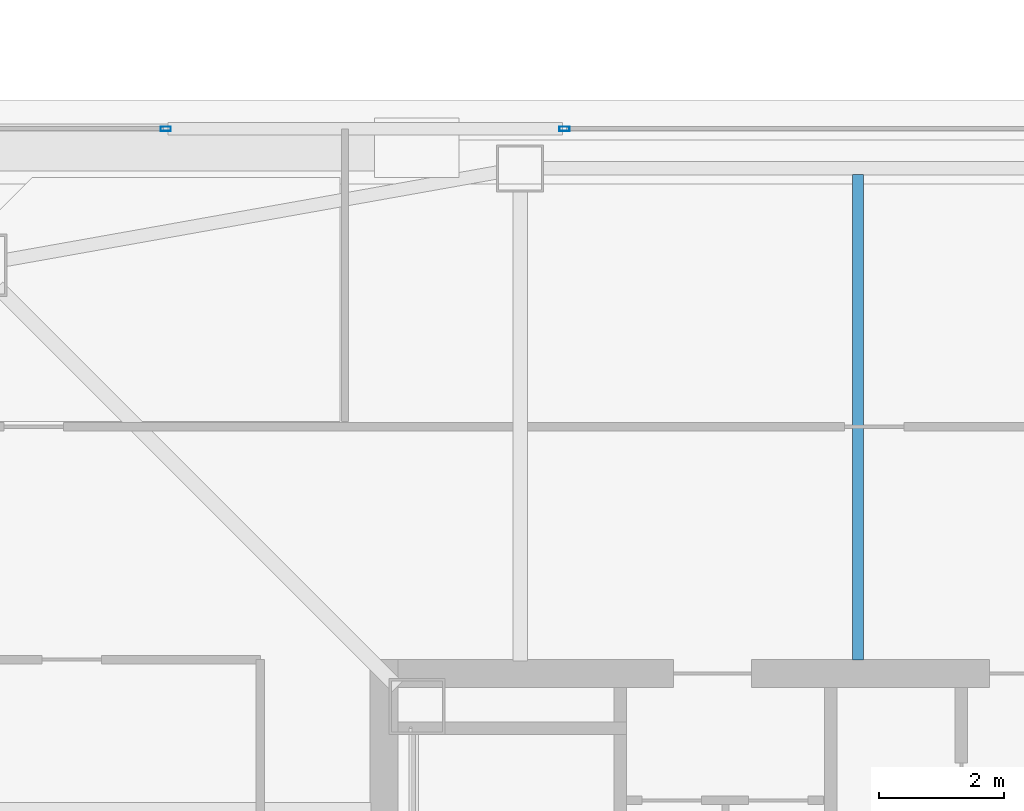
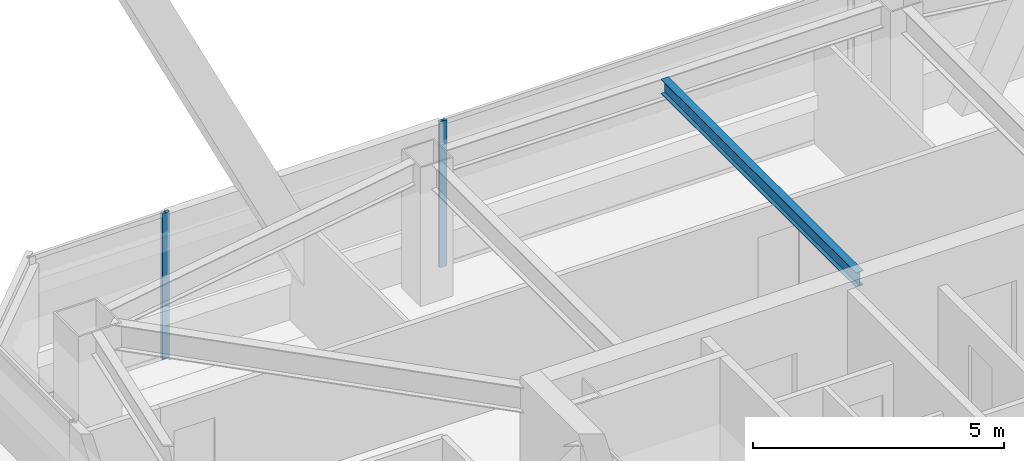
# One storey, part 21 of 56: 2 members, 1 beam, 2 elements without a shape of their own.
"""IFC4 building model written with IfcOpenShell, lengths in metres."""

from ifc_helpers import new_model, si_unit, direction, frame, origin, origin_2d, place, context, subcontext, project, spatial, hollow_rectangle, i_section, extrude, material, material_profile, profile_set, type_object, element, aggregate, save


model = new_model("IFC4")

# Units and contexts
model_context = context("Model", 3, precision=1e-05, world=origin(), true_north=direction((0.0, 1.0)))
body_context = subcontext(model_context, "Body", "Model", "MODEL_VIEW")
ifc_project = project(units=[si_unit("LENGTHUNIT", "METRE"), si_unit("AREAUNIT", "SQUARE_METRE"), si_unit("VOLUMEUNIT", "CUBIC_METRE"), si_unit("PLANEANGLEUNIT", "RADIAN"), si_unit("MASSUNIT", "GRAM", prefix="KILO")], contexts=[model_context])

# Site, building, storey
site_placement = place(None, origin())
site = spatial("IfcSite", under=ifc_project, at=site_placement, CompositionType="ELEMENT")
building_placement = place(site_placement, origin())
building = spatial("IfcBuilding", under=site, at=building_placement, Name="Tashvorn Skyway Center", CompositionType="ELEMENT")
storey_placement = place(building_placement, frame((0.0, 0.0, 218.39990234375)))
storey = spatial("IfcBuildingStorey", under=building, at=storey_placement, Name="L59", CompositionType="ELEMENT", Elevation=218.39990234375)

# Beam
ifc_material_1 = material(Name="Steel ASTM A992 Grade 50", Category="steel")
ifc_material_profile_1 = material_profile(ifc_material_1, i_section(OverallWidth=0.1708984375, OverallDepth=0.35498046875, WebThickness=0.007080078125, FlangeThickness=0.01171875, at=origin_2d()), Name="W14X34")
ifc_profile_set_1 = profile_set([ifc_material_profile_1], Name="Steel ASTM A992 Grade 50")
beam_type = type_object("IfcBeamType", Name="BM-JOIST-W14X34", PredefinedType="JOIST", material=ifc_profile_set_1)
beam_placement = place(storey_placement, frame((42.0, 39.7900390625, 3.192626953125), z_axis=(0.0, 1.0, 0.0), x_axis=(-1.0, 0.0, 0.0)))
element("IfcBeam", 1, at=beam_placement, inside=storey, type_object=beam_type, Name="Tower 1 L59 Secondary Composite Joist JN", PredefinedType="JOIST", context=body_context, shape_type="SweptSolid", body=[
    extrude(i_section(OverallWidth=0.1708984375, OverallDepth=0.35498046875, WebThickness=0.007080078125, FlangeThickness=0.01171875, at=origin_2d()), origin(), (0.0, 0.0, 1.0), 7.762451171875),
])

# Curtain wall, member
ifc_material_2 = material(Name="Thermally broken bronze-anodized aluminium 6063-T6", Category="aluminium")
curtain_wall_type = type_object("IfcCurtainWallType", Name="CW-CW-Z5", PredefinedType="NOTDEFINED", material=ifc_material_2)
curtain_wall_1_placement = place(storey_placement, origin())
curtain_wall_1 = element("IfcCurtainWall", 2, at=curtain_wall_1_placement, inside=storey, type_object=curtain_wall_type, Name="Tower 1 L59 North Unitised Curtain Wall Glazing Group 1", PredefinedType="NOTDEFINED")
ifc_material_profile_2 = material_profile(ifc_material_2, hollow_rectangle(XDim=0.070068359375, YDim=0.1650390625, WallThickness=0.00390625, at=origin_2d()), Name="ALU-MULL-70x165")
ifc_profile_set_2 = profile_set([ifc_material_profile_2], Name="Thermally broken bronze-anodized aluminium 6063-T6")
member_type = type_object("IfcMemberType", Name="CWM-CW-Z5", PredefinedType="MULLION", material=ifc_profile_set_2)
member_1_placement = place(storey_placement, frame((30.93603515625, 48.280029296875, 0.0), z_axis=(0.0, 0.0, 1.0), x_axis=(0.0, 1.0, 0.0)))
member_1 = element("IfcMember", 3, at=member_1_placement, type_object=member_type, Name="CW-Z5 mullion 2", PredefinedType="MULLION", context=body_context, shape_type="SweptSolid", body=[
    extrude(hollow_rectangle(XDim=0.070068359375, YDim=0.1650390625, WallThickness=0.00390625, at=origin_2d()), origin(), (0.0, 0.0, 1.0), 3.550048828125),
])
aggregate(curtain_wall_1, [member_1])

curtain_wall_2_placement = place(storey_placement, origin())
curtain_wall_2 = element("IfcCurtainWall", 4, at=curtain_wall_2_placement, inside=storey, type_object=curtain_wall_type, Name="Tower 1 L59 North Unitised Curtain Wall Glazing Group 2", PredefinedType="NOTDEFINED")
member_2_placement = place(storey_placement, frame((37.308349609375, 48.280029296875, 0.0), z_axis=(0.0, 0.0, 1.0), x_axis=(0.0, 1.0, 0.0)))
member_2 = element("IfcMember", 5, at=member_2_placement, type_object=member_type, Name="CW-Z5 mullion 1", PredefinedType="MULLION", context=body_context, shape_type="SweptSolid", body=[
    extrude(hollow_rectangle(XDim=0.070068359375, YDim=0.1650390625, WallThickness=0.00390625, at=origin_2d()), origin(), (0.0, 0.0, 1.0), 3.550048828125),
])
aggregate(curtain_wall_2, [member_2])

save(model, "model.ifc")
